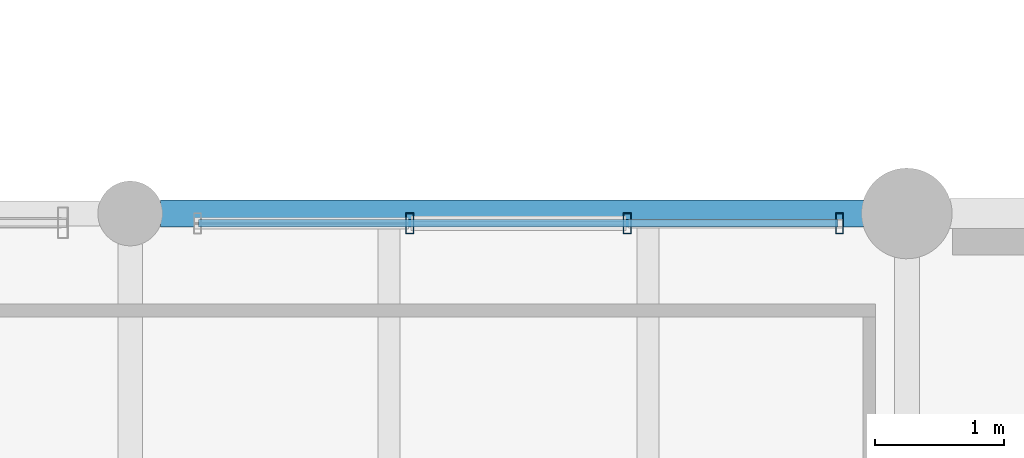
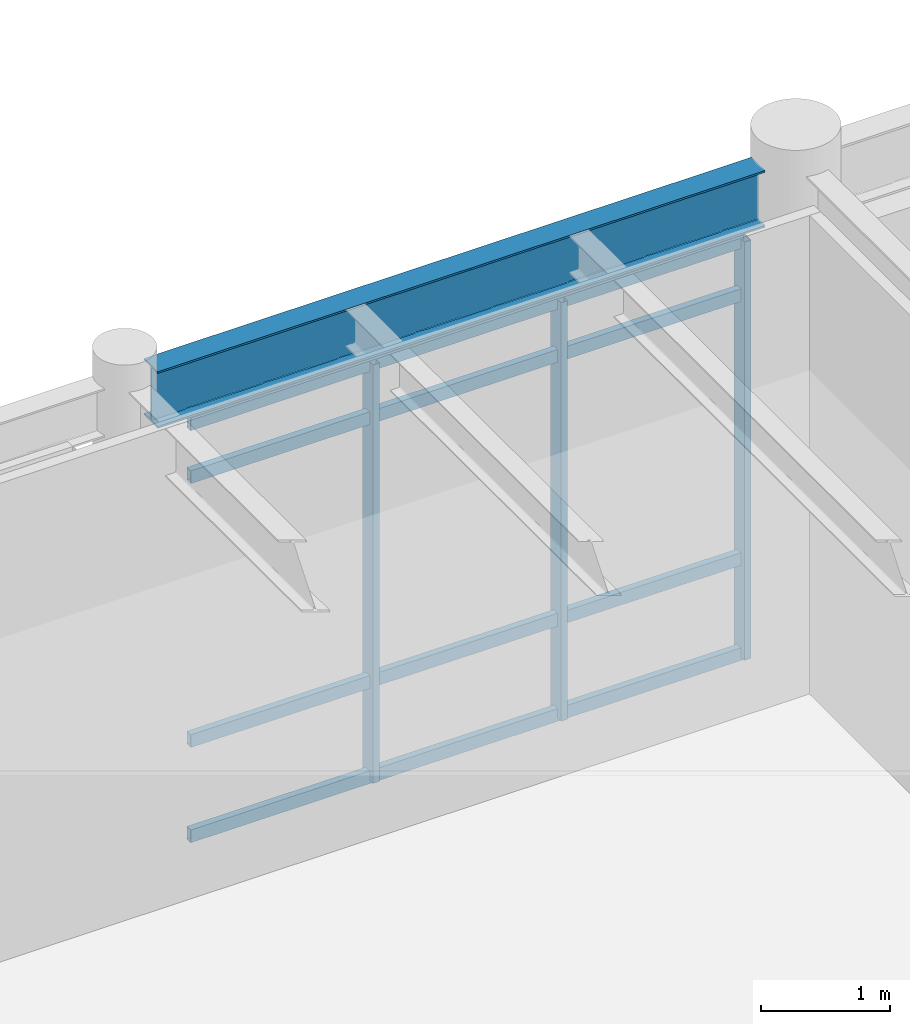
# One storey, part 133 of 200: 7 members, 1 beam, 1 element without a shape of its own.
"""IFC4 building model written with IfcOpenShell, lengths in metres."""

import ifcopenshell
import ifcopenshell.guid

model = None  # the IFC model being written
_history = None  # IfcOwnerHistory: only IFC2X3 demands one
_inside = {}  # id of a spatial element -> (the spatial element, [elements in it])
_under = {}  # id of a project, library or spatial element -> (it, [spatial elements below it])
_declared = {}  # id of a project -> (the project, [libraries it declares])
_typed = {}  # id of a type object -> (the type object, [elements of that type])
_made_of = {}  # id of a material, layer set ... -> (it, [elements and type objects made of it])


def new_model(schema):
    """Start an empty IFC model of exactly this schema.

    Asked for "IFC4X3", IfcOpenShell would pick the latest addendum, in which some entities
    have other attributes; the version numbers below select the first issue.
    IFC2X3 requires an IfcOwnerHistory on every rooted entity: one is made here for all.
    """
    global model, _history
    if schema == "IFC4X3":
        model = ifcopenshell.file(schema_version=(4, 3, 0, 0))
    else:
        model = ifcopenshell.file(schema=schema)
    _inside.clear()
    _under.clear()
    _declared.clear()
    _typed.clear()
    _made_of.clear()
    _history = None
    if model.schema == "IFC2X3":
        org = make("IfcOrganization", Name="unknown")
        user = make(
            "IfcPersonAndOrganization",
            ThePerson=make("IfcPerson", FamilyName="unknown"),
            TheOrganization=org,
        )
        app = make(
            "IfcApplication",
            ApplicationDeveloper=org,
            Version="unknown",
            ApplicationFullName="unknown",
            ApplicationIdentifier="unknown",
        )
        _history = make(
            "IfcOwnerHistory",
            OwningUser=user,
            OwningApplication=app,
            ChangeAction="ADDED",
            CreationDate=0,
        )
    return model


def make(cls, **values):
    """One entity of the class cls with the attributes given. An attribute that is None is left unset."""
    return model.create_entity(
        cls, **{name: value for name, value in values.items() if value is not None}
    )


def rooted(cls, **values):
    """An entity with a GlobalId (a new one), such as an element, a storey or a relation."""
    return make(cls, GlobalId=ifcopenshell.guid.new(), OwnerHistory=_history, **values)


def si_unit(unit_type, name, prefix=None):
    """IfcSIUnit, for example si_unit("LENGTHUNIT", "METRE", prefix="MILLI")."""
    return make("IfcSIUnit", UnitType=unit_type, Prefix=prefix, Name=name)


def assignment(units):
    """IfcUnitAssignment: the units of a project."""
    return None if units is None else make("IfcUnitAssignment", Units=units)


def point(xyz):
    """IfcCartesianPoint."""
    return None if xyz is None else make("IfcCartesianPoint", Coordinates=xyz)


def direction(xyz):
    """IfcDirection."""
    return None if xyz is None else make("IfcDirection", DirectionRatios=xyz)


def frame(location, z_axis=None, x_axis=None):
    """IfcAxis2Placement3D, a coordinate frame: its origin and axes. An axis left out is left unset."""
    return make(
        "IfcAxis2Placement3D",
        Location=point(location),
        Axis=direction(z_axis),
        RefDirection=direction(x_axis),
    )


def frame_2d(location, x_axis=None):
    """IfcAxis2Placement2D, a coordinate frame in the plane: its origin and x axis."""
    return make(
        "IfcAxis2Placement2D", Location=point(location), RefDirection=direction(x_axis)
    )


def origin():
    """The frame at (0, 0, 0) with its axes left unset."""
    return frame((0.0, 0.0, 0.0))


def origin_2d():
    """The frame at (0, 0) in the plane with its x axis left unset."""
    return frame_2d((0.0, 0.0))


def place(relative_to, where):
    """IfcLocalPlacement: puts the frame where relative to a parent placement (None: the world)."""
    return make(
        "IfcLocalPlacement", PlacementRelTo=relative_to, RelativePlacement=where
    )


def context(
    kind, dimensions, precision=None, world=None, true_north=None, identifier=None
):
    """IfcGeometricRepresentationContext, for example the 3D "Model" context."""
    return make(
        "IfcGeometricRepresentationContext",
        ContextIdentifier=identifier,
        ContextType=kind,
        CoordinateSpaceDimension=dimensions,
        Precision=precision,
        WorldCoordinateSystem=world,
        TrueNorth=true_north,
    )


def subcontext(parent, identifier, kind, view, scale=None):
    """IfcGeometricRepresentationSubContext, for example "Body" below "Model"."""
    return make(
        "IfcGeometricRepresentationSubContext",
        ContextIdentifier=identifier,
        ContextType=kind,
        ParentContext=parent,
        TargetScale=scale,
        TargetView=view,
    )


def project(units=None, contexts=None):
    """IfcProject with its units and contexts."""
    return rooted(
        "IfcProject",
        Name="project",
        RepresentationContexts=contexts,
        UnitsInContext=assignment(units),
    )


def spatial(cls, under=None, at=None, **own):
    """A site, building, storey or space (cls), placed at a placement, below another one or the project."""
    s = rooted(cls, ObjectPlacement=at, **own)
    if under is not None:
        _under.setdefault(under.id(), (under, []))[1].append(s)
    return s


def profile(cls, at=None, kind="AREA", **sizes):
    """A parametric profile (cls). Its sizes go by their IFC names, for example OverallWidth=200.0."""
    return make(cls, ProfileType=kind, Position=at, **sizes)


def hollow_rectangle(**sizes):
    """IfcRectangleHollowProfileDef."""
    return profile("IfcRectangleHollowProfileDef", **sizes)


def i_section(**sizes):
    """IfcIShapeProfileDef."""
    return profile("IfcIShapeProfileDef", **sizes)


def extrude(swept, where, along, depth):
    """IfcExtrudedAreaSolid: the profile swept, set in the frame where, extruded along a direction by depth."""
    return make(
        "IfcExtrudedAreaSolid",
        SweptArea=swept,
        Position=where,
        ExtrudedDirection=direction(along),
        Depth=depth,
    )


def shape(context_of_items, identifier, shape_type, items):
    """IfcShapeRepresentation: the items that make up one representation, for example the "Body"."""
    return make(
        "IfcShapeRepresentation",
        ContextOfItems=context_of_items,
        RepresentationIdentifier=identifier,
        RepresentationType=shape_type,
        Items=items,
    )


def material(Name=None, Category=None):
    """IfcMaterial."""
    return make("IfcMaterial", Name=Name, Category=Category)


def material_profile(
    of_material, cross_section, Name=None, Category=None, Priority=None
):
    """IfcMaterialProfile: a cross section and its material."""
    return make(
        "IfcMaterialProfile",
        Name=Name,
        Material=of_material,
        Profile=cross_section,
        Priority=Priority,
        Category=Category,
    )


def profile_set(profiles, Name=None, composite=None):
    """IfcMaterialProfileSet."""
    return make(
        "IfcMaterialProfileSet",
        Name=Name,
        MaterialProfiles=profiles,
        CompositeProfile=composite,
    )


def made_of(thing, what):
    """Note that an element or type object is made of a material, layer set ...; save() writes the relation."""
    if what is not None:
        _made_of.setdefault(what.id(), (what, []))[1].append(thing)
    return thing


def type_object(cls, material=None, **own):
    """A type object (cls), such as IfcWallType, which elements share."""
    return made_of(rooted(cls, **own), material)


def element(
    cls,
    number,
    at=None,
    inside=None,
    cuts=None,
    type_object=None,
    material=None,
    context=None,
    identifier="Body",
    shape_type=None,
    held_by="IfcProductDefinitionShape",
    body=None,
    shapes=None,
    **own,
):
    """One element of the class cls, such as IfcWall. Its Tag is "e" and its number.

    at: its placement. inside: the storey or other place that contains it. cuts: it is an
    opening in that element (IfcRelVoidsElement). A single representation is given by context,
    identifier, shape_type and body (its items); several are given by shapes. held_by: the class
    of the entity that holds the representations. save() writes the other relations.
    """
    e = rooted(cls, Tag="e%d" % number, ObjectPlacement=at, **own)
    if body is not None:
        shapes = [shape(context, identifier, shape_type, body)]
    if shapes is not None:
        e.Representation = make(held_by, Representations=shapes)
    if inside is not None:
        _inside.setdefault(inside.id(), (inside, []))[1].append(e)
    if cuts is not None:
        rooted(
            "IfcRelVoidsElement", RelatingBuildingElement=cuts, RelatedOpeningElement=e
        )
    if type_object is not None:
        _typed.setdefault(type_object.id(), (type_object, []))[1].append(e)
    return made_of(e, material)


def aggregate(whole, parts):
    """IfcRelAggregates: a whole, such as a stair, and the parts it consists of."""
    return rooted("IfcRelAggregates", RelatingObject=whole, RelatedObjects=parts)


def save(model, path):
    """Write the relations noted so far, then the file.

    IfcRelAggregates (storeys below a building ...), IfcRelContainedInSpatialStructure (elements
    in a storey), IfcRelDefinesByType, IfcRelAssociatesMaterial and IfcRelDeclares: one each for
    every whole, place, type object, material and project.
    """
    for whole, parts in _under.values():
        aggregate(whole, parts)
    for where, things in _inside.values():
        rooted(
            "IfcRelContainedInSpatialStructure",
            RelatedElements=things,
            RelatingStructure=where,
        )
    for kind, things in _typed.values():
        rooted("IfcRelDefinesByType", RelatedObjects=things, RelatingType=kind)
    for what, things in _made_of.values():
        rooted("IfcRelAssociatesMaterial", RelatedObjects=things, RelatingMaterial=what)
    for by, libraries in _declared.values():
        rooted("IfcRelDeclares", RelatingContext=by, RelatedDefinitions=libraries)
    model.write(path)


model = new_model("IFC4")

# Units and contexts
model_context = context("Model", 3, precision=1e-05, world=origin(), true_north=direction((0.0, 1.0)))
body_context = subcontext(model_context, "Body", "Model", "MODEL_VIEW")
ifc_project = project(units=[si_unit("LENGTHUNIT", "METRE"), si_unit("AREAUNIT", "SQUARE_METRE"), si_unit("VOLUMEUNIT", "CUBIC_METRE"), si_unit("PLANEANGLEUNIT", "RADIAN"), si_unit("MASSUNIT", "GRAM", prefix="KILO"), si_unit("THERMODYNAMICTEMPERATUREUNIT", "KELVIN"), si_unit("POWERUNIT", "WATT")], contexts=[model_context])

# Site, building, storey
site_placement = place(None, origin())
site = spatial("IfcSite", under=ifc_project, at=site_placement, CompositionType="ELEMENT")
building_placement = place(site_placement, origin())
building = spatial("IfcBuilding", under=site, at=building_placement, Name="Tepalcoro Natatorium and Aquatics Centre", CompositionType="ELEMENT")
storey_placement = place(building_placement, frame((0.0, 0.0, 5.39990234375)))
storey = spatial("IfcBuildingStorey", under=building, at=storey_placement, Name="L01", CompositionType="ELEMENT", Elevation=5.39990234375)

# Curtain wall, members
ifc_material_1 = material(Name="Bronze-Anodised Extruded Aluminium Alloy EN AW-6063 T6", Category="aluminium")
curtain_wall_type = type_object("IfcCurtainWallType", Name="CW_LEAN_T2_NS", PredefinedType="USERDEFINED", material=ifc_material_1)
curtain_wall_placement = place(storey_placement, origin())
curtain_wall = element("IfcCurtainWall", 1, at=curtain_wall_placement, inside=storey, type_object=curtain_wall_type, Name="V2 L01 N Unitised Curtain Wall Bay 3", ObjectType="FACETED SOLAR GLAZING", PredefinedType="USERDEFINED")
ifc_material_profile_1 = material_profile(ifc_material_1, hollow_rectangle(XDim=0.06005859375, YDim=0.159912109375, WallThickness=0.00390625, at=origin_2d()), Name="AL60X160X4")
ifc_profile_set_1 = profile_set([ifc_material_profile_1], Name="Bronze-Anodised Extruded Aluminium Alloy EN AW-6063 T6")
member_type_1 = type_object("IfcMemberType", Name="CW_MUL_60x160", PredefinedType="MULLION", material=ifc_profile_set_1)
member_1_placement = place(storey_placement, frame((161.159912109375, 58.923828125, 0.02001953125), z_axis=(0.0, 0.0, 1.0), x_axis=(1.0, 0.0, 0.0)))
member_1 = element("IfcMember", 2, at=member_1_placement, type_object=member_type_1, Name="CW_LEAN_T2_NS Curtain Wall Mullion", PredefinedType="MULLION", context=body_context, shape_type="SweptSolid", body=[
    extrude(hollow_rectangle(XDim=0.06005859375, YDim=0.159912109375, WallThickness=0.00390625, at=origin_2d()), origin(), (0.0, 0.0, 1.0), 3.9541015625),
])
member_2_placement = place(storey_placement, frame((162.840087890625, 58.923828125, 0.02001953125), z_axis=(0.0, 0.0, 1.0), x_axis=(1.0, 0.0, 0.0)))
member_2 = element("IfcMember", 3, at=member_2_placement, type_object=member_type_1, Name="CW_LEAN_T2_NS Curtain Wall Mullion", PredefinedType="MULLION", context=body_context, shape_type="SweptSolid", body=[
    extrude(hollow_rectangle(XDim=0.06005859375, YDim=0.159912109375, WallThickness=0.00390625, at=origin_2d()), origin(), (0.0, 0.0, 1.0), 3.9541015625),
])
member_3_placement = place(storey_placement, frame((164.47998046875, 58.923828125, 0.02001953125), z_axis=(0.0, 0.0, 1.0), x_axis=(1.0, 0.0, 0.0)))
member_3 = element("IfcMember", 4, at=member_3_placement, type_object=member_type_1, Name="CW_LEAN_T2_NS Curtain Wall Mullion", PredefinedType="MULLION", context=body_context, shape_type="SweptSolid", body=[
    extrude(hollow_rectangle(XDim=0.06005859375, YDim=0.159912109375, WallThickness=0.00390625, at=origin_2d()), origin(), (0.0, 0.0, 1.0), 3.9541015625),
])
ifc_material_profile_2 = material_profile(ifc_material_1, hollow_rectangle(XDim=0.06005859375, YDim=0.1201171875, WallThickness=0.00390625, at=origin_2d()), Name="AL60X120X4")
ifc_profile_set_2 = profile_set([ifc_material_profile_2], Name="Bronze-Anodised Extruded Aluminium Alloy EN AW-6063 T6")
member_type_2 = type_object("IfcMemberType", Name="CW_TRN_60x120", PredefinedType="USERDEFINED", material=ifc_profile_set_2)
member_4_placement = place(storey_placement, frame((159.530029296875, 58.923828125, 0.050048828125), z_axis=(1.0, 0.0, 0.0), x_axis=(0.0, 1.0, 0.0)))
member_4 = element("IfcMember", 5, at=member_4_placement, type_object=member_type_2, Name="CW_LEAN_T2_NS Curtain Wall Transom", ObjectType="TRANSOM", PredefinedType="USERDEFINED", context=body_context, shape_type="SweptSolid", body=[
    extrude(hollow_rectangle(XDim=0.06005859375, YDim=0.1201171875, WallThickness=0.00390625, at=origin_2d()), origin(), (0.0, 0.0, 1.0), 4.93994140625),
])
member_5_placement = place(storey_placement, frame((159.530029296875, 58.923828125, 0.9501953125), z_axis=(1.0, 0.0, 0.0), x_axis=(0.0, 1.0, 0.0)))
member_5 = element("IfcMember", 6, at=member_5_placement, type_object=member_type_2, Name="CW_LEAN_T2_NS Curtain Wall Transom", ObjectType="TRANSOM", PredefinedType="USERDEFINED", context=body_context, shape_type="SweptSolid", body=[
    extrude(hollow_rectangle(XDim=0.06005859375, YDim=0.1201171875, WallThickness=0.00390625, at=origin_2d()), origin(), (0.0, 0.0, 1.0), 4.93994140625),
])
member_6_placement = place(storey_placement, frame((159.530029296875, 58.923828125, 3.444091796875), z_axis=(1.0, 0.0, 0.0), x_axis=(0.0, 1.0, 0.0)))
member_6 = element("IfcMember", 7, at=member_6_placement, type_object=member_type_2, Name="CW_LEAN_T2_NS Curtain Wall Transom", ObjectType="TRANSOM", PredefinedType="USERDEFINED", context=body_context, shape_type="SweptSolid", body=[
    extrude(hollow_rectangle(XDim=0.06005859375, YDim=0.1201171875, WallThickness=0.00390625, at=origin_2d()), origin(), (0.0, 0.0, 1.0), 4.93994140625),
])
member_7_placement = place(storey_placement, frame((159.530029296875, 58.923828125, 3.944091796875), z_axis=(1.0, 0.0, 0.0), x_axis=(0.0, 1.0, 0.0)))
member_7 = element("IfcMember", 8, at=member_7_placement, type_object=member_type_2, Name="CW_LEAN_T2_NS Curtain Wall Transom", ObjectType="TRANSOM", PredefinedType="USERDEFINED", context=body_context, shape_type="SweptSolid", body=[
    extrude(hollow_rectangle(XDim=0.06005859375, YDim=0.1201171875, WallThickness=0.00390625, at=origin_2d()), origin(), (0.0, 0.0, 1.0), 4.93994140625),
])
aggregate(curtain_wall, [member_1, member_2, member_3, member_4, member_5, member_6, member_7])

# Beam
ifc_material_2 = material(Name="Steel ASTM A992 Grade 50 (Fy 345 MPa)", Category="steel")
ifc_material_profile_3 = material_profile(ifc_material_2, i_section(OverallWidth=0.2099609375, OverallDepth=0.535888671875, WebThickness=0.010986328125, FlangeThickness=0.01708984375, FilletRadius=0.013916015625, at=origin_2d()), Name="W21X68")
ifc_profile_set_3 = profile_set([ifc_material_profile_3], Name="Steel ASTM A992 Grade 50 (Fy 345 MPa)")
beam_type = type_object("IfcBeamType", Name="SP_W21x68", PredefinedType="SPANDREL", material=ifc_profile_set_3)
beam_placement = place(storey_placement, frame((159.235107421875, 59.0, 4.277099609375), z_axis=(1.0, 0.0, 0.0), x_axis=(0.0, 1.0, 0.0)))
element("IfcBeam", 9, at=beam_placement, inside=storey, type_object=beam_type, Name="V2 L01 Grid Girder X", PredefinedType="SPANDREL", context=body_context, shape_type="SweptSolid", body=[
    extrude(i_section(OverallWidth=0.2099609375, OverallDepth=0.535888671875, WebThickness=0.010986328125, FlangeThickness=0.01708984375, FilletRadius=0.013916015625, at=origin_2d()), origin(), (0.0, 0.0, 1.0), 5.429931640625),
])

save(model, "model.ifc")
